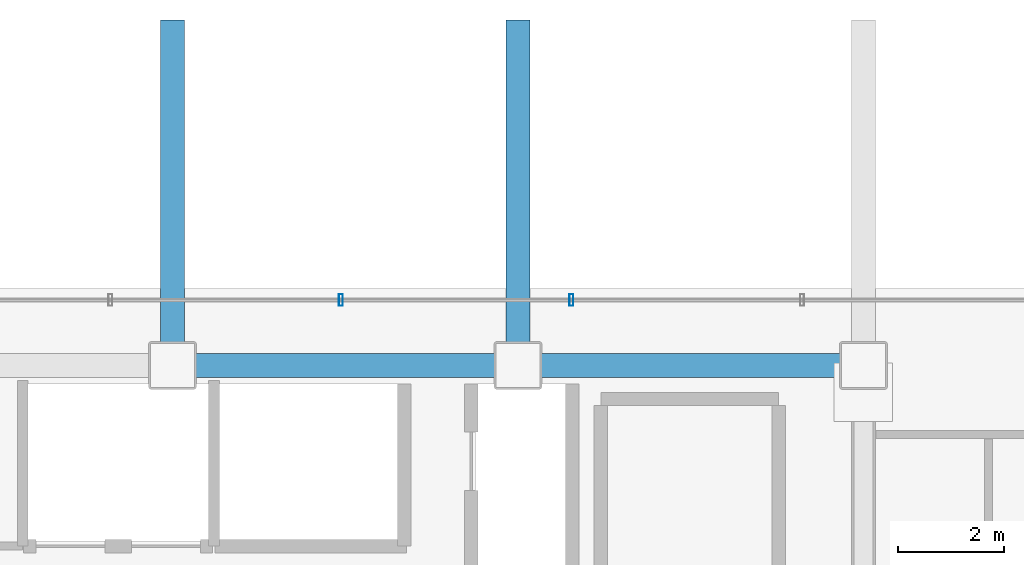
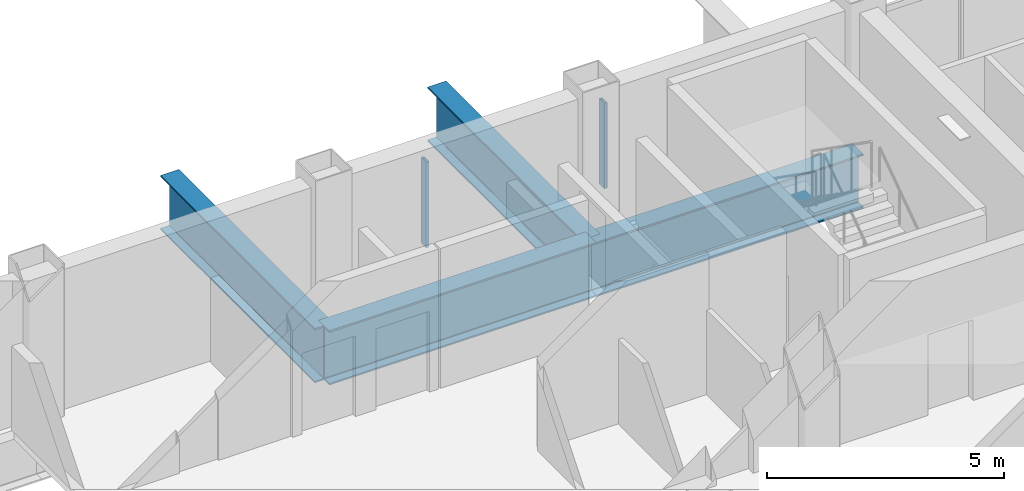
# One storey, part 11 of 17: 4 beams, 2 members, 1 element without a shape of its own.
"""IFC4 building model written with IfcOpenShell, lengths in metres."""

from ifc_helpers import new_model, si_unit, direction, frame, origin, origin_2d, place, context, subcontext, project, spatial, hollow_rectangle, i_section, extrude, material, material_profile, profile_set, type_object, element, aggregate, save


model = new_model("IFC4")

# Units and contexts
model_context = context("Model", 3, precision=1e-05, world=origin(), true_north=direction((0.0, 1.0)))
body_context = subcontext(model_context, "Body", "Model", "MODEL_VIEW")
ifc_project = project(units=[si_unit("LENGTHUNIT", "METRE"), si_unit("AREAUNIT", "SQUARE_METRE"), si_unit("VOLUMEUNIT", "CUBIC_METRE"), si_unit("PLANEANGLEUNIT", "RADIAN"), si_unit("MASSUNIT", "GRAM", prefix="KILO")], contexts=[model_context])

# Site, building, storey
site_placement = place(None, origin())
site = spatial("IfcSite", under=ifc_project, at=site_placement, CompositionType="ELEMENT")
building_placement = place(site_placement, origin())
building = spatial("IfcBuilding", under=site, at=building_placement, Name="Noeulbin Bourse Tower", CompositionType="ELEMENT")
storey_placement = place(building_placement, frame((0.0, 0.0, 196.800048828125)))
storey = spatial("IfcBuildingStorey", under=building, at=storey_placement, Name="L49", CompositionType="ELEMENT", Elevation=196.800048828125)

# Beams
ifc_material_1 = material(Name="Steel S460", Category="steel")
ifc_material_profile_1 = material_profile(ifc_material_1, i_section(OverallWidth=0.449951171875, OverallDepth=1.39990234375, WebThickness=0.02392578125, FlangeThickness=0.0400390625, FilletRadius=0.02392578125, at=origin_2d()), Name="PG-1400x450x24x40", Category="LoadBearing")
ifc_profile_set_1 = profile_set([ifc_material_profile_1], Name="Steel S460")
beam_type = type_object("IfcBeamType", Name="BM-TRF-1400", PredefinedType="USERDEFINED", material=ifc_profile_set_1)
for number, where, z_axis, x_axis, name in (
    (1, (31.0, 38.300048828125, -0.93994140625), (1.0, 0.0, 0.0), (0.0, 1.0, 0.0), "Tower Primary Girder EW L49-3.3"),
    (2, (37.5, 38.300048828125, -0.93994140625), (1.0, 0.0, 0.0), (0.0, 1.0, 0.0), "Tower Primary Girder EW L49-3.4"),
    (3, (31.0, 38.300048828125, -0.93994140625), (0.0, 1.0, 0.0), (-1.0, 0.0, 0.0), "Tower Primary Girder NS L49-3.6"),
    (4, (37.5, 38.300048828125, -0.93994140625), (0.0, 1.0, 0.0), (-1.0, 0.0, 0.0), "Tower Primary Girder NS L49-4.6"),
):
    element("IfcBeam", number, at=place(storey_placement, frame(where, z_axis=z_axis, x_axis=x_axis)), inside=storey, type_object=beam_type, Name=name, ObjectType="GIRDER", PredefinedType="USERDEFINED", context=body_context, shape_type="SweptSolid", body=[
        extrude(i_section(OverallWidth=0.449951171875, OverallDepth=1.39990234375, WebThickness=0.02392578125, FlangeThickness=0.0400390625, FilletRadius=0.02392578125, at=origin_2d()), origin(), (0.0, 0.0, 1.0), 6.5),
    ])

# Curtain wall, members
ifc_material_2 = material(Name="Dark Tinted Triple Glazing", Category="glass")
curtain_wall_type = type_object("IfcCurtainWallType", Name="CW-SYS-3", PredefinedType="NOTDEFINED", material=ifc_material_2)
curtain_wall_placement = place(storey_placement, origin())
curtain_wall = element("IfcCurtainWall", 5, at=curtain_wall_placement, inside=storey, type_object=curtain_wall_type, Name="Unitised Curtain Wall CW-L49-N", PredefinedType="NOTDEFINED")
ifc_material_3 = material(Name="Anodised Aluminium 6063-T6", Category="aluminium")
ifc_material_profile_2 = material_profile(ifc_material_3, hollow_rectangle(XDim=0.074951171875, YDim=0.219970703125, WallThickness=0.0048828125, InnerFilletRadius=0.00244140625, OuterFilletRadius=0.0048828125, at=origin_2d()), Name="ALU-MULL-75x220x5", Category="LoadBearing")
ifc_profile_set_2 = profile_set([ifc_material_profile_2], Name="Anodised Aluminium 6063-T6")
member_type = type_object("IfcMemberType", Name="CW-SYS-3-MUL", PredefinedType="MULLION", material=ifc_profile_set_2)
member_1_placement = place(storey_placement, frame((34.1689453125, 39.530029296875, -0.02001953125), z_axis=(0.0, 0.0, 1.0), x_axis=(1.0, 0.0, 0.0)))
member_1 = element("IfcMember", 6, at=member_1_placement, type_object=member_type, Name="Curtain Wall Mullion CW-L49-N-M05", PredefinedType="MULLION", context=body_context, shape_type="SweptSolid", body=[
    extrude(hollow_rectangle(XDim=0.074951171875, YDim=0.219970703125, WallThickness=0.0048828125, InnerFilletRadius=0.00244140625, OuterFilletRadius=0.0048828125, at=origin_2d()), origin(), (0.0, 0.0, 1.0), 2.199951171875),
])
member_2_placement = place(storey_placement, frame((38.506591796875, 39.530029296875, -0.02001953125), z_axis=(0.0, 0.0, 1.0), x_axis=(1.0, 0.0, 0.0)))
member_2 = element("IfcMember", 7, at=member_2_placement, type_object=member_type, Name="Curtain Wall Mullion CW-L49-N-M06", PredefinedType="MULLION", context=body_context, shape_type="SweptSolid", body=[
    extrude(hollow_rectangle(XDim=0.074951171875, YDim=0.219970703125, WallThickness=0.0048828125, InnerFilletRadius=0.00244140625, OuterFilletRadius=0.0048828125, at=origin_2d()), origin(), (0.0, 0.0, 1.0), 2.199951171875),
])
aggregate(curtain_wall, [member_1, member_2])

save(model, "model.ifc")
